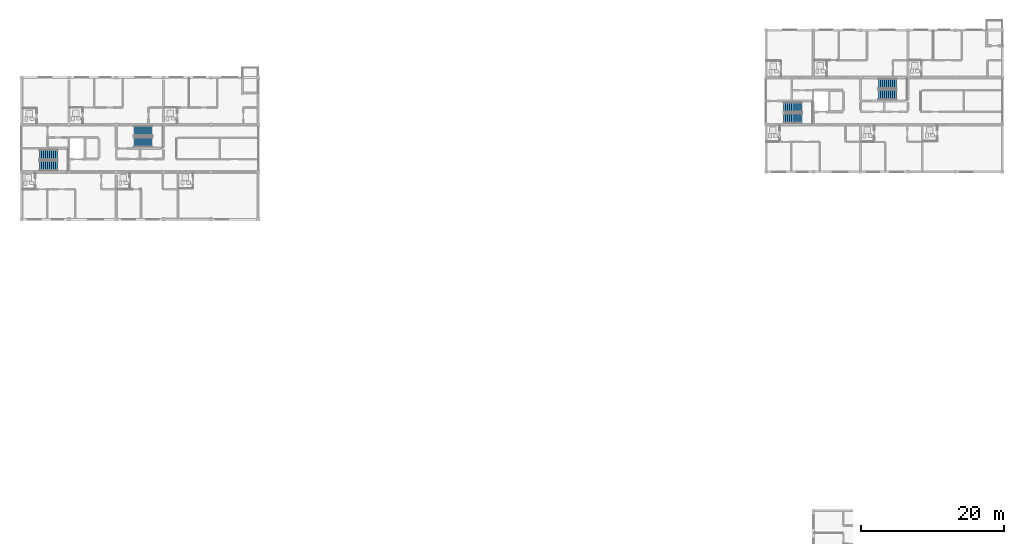
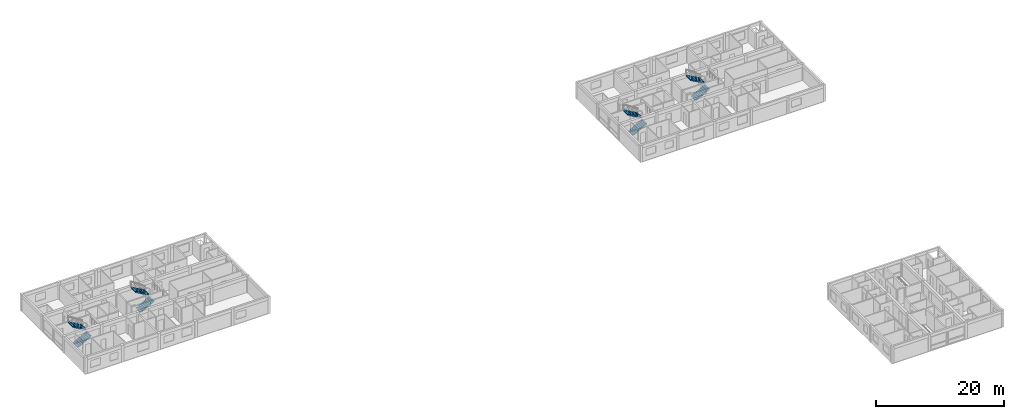
# One storey, part 29 of 34: 8 stair flights, 4 elements without a shape of their own.
"""IFC4 building model written with IfcOpenShell, lengths in metres."""

from ifc_helpers import new_model, si_unit, direction, frame, origin, place, context, subcontext, project, spatial, polyline, outline, extrude, material, type_object, element, aggregate, save


model = new_model("IFC4")

# Units and contexts
model_context = context("Model", 3, precision=1e-05, world=origin(), true_north=direction((0.0, 1.0)))
body_context = subcontext(model_context, "Body", "Model", "MODEL_VIEW")
ifc_project = project(units=[si_unit("LENGTHUNIT", "METRE"), si_unit("AREAUNIT", "SQUARE_METRE"), si_unit("VOLUMEUNIT", "CUBIC_METRE"), si_unit("PLANEANGLEUNIT", "RADIAN"), si_unit("MASSUNIT", "GRAM", prefix="KILO")], contexts=[model_context])

# Site, building, storey
site_placement = place(None, origin())
site = spatial("IfcSite", under=ifc_project, at=site_placement, CompositionType="ELEMENT")
building_placement = place(site_placement, origin())
building = spatial("IfcBuilding", under=site, at=building_placement, Name="Kernevlak Ridge Housing Community", CompositionType="ELEMENT")
storey_placement = place(building_placement, frame((0.0, 0.0, 40.39990234375)))
storey = spatial("IfcBuildingStorey", under=building, at=storey_placement, Name="L12", CompositionType="ELEMENT", Elevation=40.39990234375)

# Stair, stair flights
ifc_material = material(Name="Concrete C35/45", Category="concrete")
stair_type_1 = type_object("IfcStairType", Name="SR-01", PredefinedType="HALF_TURN_STAIR", material=ifc_material)
stair_1_placement = place(storey_placement, origin())
stair_1 = element("IfcStair", 1, at=stair_1_placement, inside=storey, type_object=stair_type_1, Name="Stair ST-B1 L12", PredefinedType="HALF_TURN_STAIR")
stair_flight_type_1 = type_object("IfcStairFlightType", Name="SF-01", PredefinedType="STRAIGHT", material=ifc_material)
stair_flight_1_placement = place(storey_placement, frame((121.8798828125, 90.06005859375, 0.0), z_axis=(0.0, 0.0, 1.0), x_axis=(1.0, 0.0, 0.0)))
stair_flight_1 = element("IfcStairFlight", 2, at=stair_flight_1_placement, type_object=stair_flight_type_1, Name="SR-01 flight 1", NumberOfRisers=10, NumberOfTreads=9, PredefinedType="STRAIGHT", RiserHeight=0.16, TreadLength=0.28, context=body_context, shape_type="SweptSolid", body=[
    extrude(outline(polyline([(0.0, 0.0), (0.0, 0.159912109375), (0.280029296875, 0.159912109375), (0.280029296875, 0.320068359375), (0.56005859375, 0.320068359375), (0.56005859375, 0.47998046875), (0.840087890625, 0.47998046875), (0.840087890625, 0.639892578125), (1.1201171875, 0.639892578125), (1.1201171875, 0.800048828125), (1.39990234375, 0.800048828125), (1.39990234375, 0.9599609375), (1.679931640625, 0.9599609375), (1.679931640625, 1.1201171875), (1.9599609375, 1.1201171875), (1.9599609375, 1.280029296875), (2.239990234375, 1.280029296875), (2.239990234375, 1.43994140625), (2.52001953125, 1.43994140625), (2.52001953125, 1.60009765625), (2.52001953125, 1.244384765625), (0.342529296875, 0.0), (0.0, 0.0)])), frame((0.0, 0.699951171875, 0.0), z_axis=(0.0, -1.0, 0.0), x_axis=(1.0, 0.0, 0.0)), (0.0, 0.0, 1.0), 1.39990234375),
])
stair_flight_2_placement = place(storey_placement, frame((124.39990234375, 91.639892578125, 1.60009765625), z_axis=(0.0, 0.0, 1.0), x_axis=(-1.0, 0.0, 0.0)))
stair_flight_2 = element("IfcStairFlight", 3, at=stair_flight_2_placement, type_object=stair_flight_type_1, Name="SR-01 flight 2", NumberOfRisers=10, NumberOfTreads=9, PredefinedType="STRAIGHT", RiserHeight=0.16, TreadLength=0.28, context=body_context, shape_type="SweptSolid", body=[
    extrude(outline(polyline([(0.0, 0.0), (0.0, 0.159912109375), (0.280029296875, 0.159912109375), (0.280029296875, 0.320068359375), (0.56005859375, 0.320068359375), (0.56005859375, 0.47998046875), (0.840087890625, 0.47998046875), (0.840087890625, 0.639892578125), (1.1201171875, 0.639892578125), (1.1201171875, 0.800048828125), (1.39990234375, 0.800048828125), (1.39990234375, 0.9599609375), (1.679931640625, 0.9599609375), (1.679931640625, 1.1201171875), (1.9599609375, 1.1201171875), (1.9599609375, 1.280029296875), (2.239990234375, 1.280029296875), (2.239990234375, 1.43994140625), (2.52001953125, 1.43994140625), (2.52001953125, 1.60009765625), (2.52001953125, 1.244384765625), (0.342529296875, 0.0), (0.0, 0.0)])), frame((0.0, 0.699951171875, 0.0), z_axis=(0.0, -1.0, 0.0), x_axis=(1.0, 0.0, 0.0)), (0.0, 0.0, 1.0), 1.39990234375),
])
aggregate(stair_1, [stair_flight_1, stair_flight_2])

stair_2_placement = place(storey_placement, origin())
stair_2 = element("IfcStair", 4, at=stair_2_placement, inside=storey, type_object=stair_type_1, Name="Stair ST-B2 L12", PredefinedType="HALF_TURN_STAIR")
stair_flight_3_placement = place(storey_placement, frame((135.080078125, 93.360107421875, 0.0), z_axis=(0.0, 0.0, 1.0), x_axis=(1.0, 0.0, 0.0)))
stair_flight_3 = element("IfcStairFlight", 5, at=stair_flight_3_placement, type_object=stair_flight_type_1, Name="SR-01 flight 1", NumberOfRisers=10, NumberOfTreads=9, PredefinedType="STRAIGHT", RiserHeight=0.16, TreadLength=0.28, context=body_context, shape_type="SweptSolid", body=[
    extrude(outline(polyline([(0.0, 0.0), (0.0, 0.159912109375), (0.280029296875, 0.159912109375), (0.280029296875, 0.320068359375), (0.56005859375, 0.320068359375), (0.56005859375, 0.47998046875), (0.840087890625, 0.47998046875), (0.840087890625, 0.639892578125), (1.1201171875, 0.639892578125), (1.1201171875, 0.800048828125), (1.39990234375, 0.800048828125), (1.39990234375, 0.9599609375), (1.679931640625, 0.9599609375), (1.679931640625, 1.1201171875), (1.9599609375, 1.1201171875), (1.9599609375, 1.280029296875), (2.239990234375, 1.280029296875), (2.239990234375, 1.43994140625), (2.52001953125, 1.43994140625), (2.52001953125, 1.60009765625), (2.52001953125, 1.244384765625), (0.342529296875, 0.0), (0.0, 0.0)])), frame((0.0, 0.699951171875, 0.0), z_axis=(0.0, -1.0, 0.0), x_axis=(1.0, 0.0, 0.0)), (0.0, 0.0, 1.0), 1.39990234375),
])
stair_flight_4_placement = place(storey_placement, frame((137.60009765625, 94.93994140625, 1.60009765625), z_axis=(0.0, 0.0, 1.0), x_axis=(-1.0, 0.0, 0.0)))
stair_flight_4 = element("IfcStairFlight", 6, at=stair_flight_4_placement, type_object=stair_flight_type_1, Name="SR-01 flight 2", NumberOfRisers=10, NumberOfTreads=9, PredefinedType="STRAIGHT", RiserHeight=0.16, TreadLength=0.28, context=body_context, shape_type="SweptSolid", body=[
    extrude(outline(polyline([(0.0, 0.0), (0.0, 0.159912109375), (0.280029296875, 0.159912109375), (0.280029296875, 0.320068359375), (0.56005859375, 0.320068359375), (0.56005859375, 0.47998046875), (0.840087890625, 0.47998046875), (0.840087890625, 0.639892578125), (1.1201171875, 0.639892578125), (1.1201171875, 0.800048828125), (1.39990234375, 0.800048828125), (1.39990234375, 0.9599609375), (1.679931640625, 0.9599609375), (1.679931640625, 1.1201171875), (1.9599609375, 1.1201171875), (1.9599609375, 1.280029296875), (2.239990234375, 1.280029296875), (2.239990234375, 1.43994140625), (2.52001953125, 1.43994140625), (2.52001953125, 1.60009765625), (2.52001953125, 1.244384765625), (0.342529296875, 0.0), (0.0, 0.0)])), frame((0.0, 0.699951171875, 0.0), z_axis=(0.0, -1.0, 0.0), x_axis=(1.0, 0.0, 0.0)), (0.0, 0.0, 1.0), 1.39990234375),
])
aggregate(stair_2, [stair_flight_3, stair_flight_4])

stair_type_2 = type_object("IfcStairType", Name="SR-06", PredefinedType="HALF_TURN_STAIR", material=ifc_material)
stair_3_placement = place(storey_placement, origin())
stair_3 = element("IfcStair", 7, at=stair_3_placement, inside=storey, type_object=stair_type_2, Name="Stair ST-A1 L12", PredefinedType="HALF_TURN_STAIR")
stair_flight_type_2 = type_object("IfcStairFlightType", Name="SF-06", PredefinedType="STRAIGHT", material=ifc_material)
stair_flight_5_placement = place(storey_placement, frame((18.080078125, 83.4599609375, 0.0), z_axis=(0.0, 0.0, 1.0), x_axis=(1.0, 0.0, 0.0)))
stair_flight_5 = element("IfcStairFlight", 8, at=stair_flight_5_placement, type_object=stair_flight_type_2, Name="SR-06 flight 1", NumberOfRisers=10, NumberOfTreads=9, PredefinedType="STRAIGHT", RiserHeight=0.16, TreadLength=0.28, context=body_context, shape_type="SweptSolid", body=[
    extrude(outline(polyline([(0.0, 0.0), (0.0, 0.159912109375), (0.280029296875, 0.159912109375), (0.280029296875, 0.320068359375), (0.56005859375, 0.320068359375), (0.56005859375, 0.47998046875), (0.840087890625, 0.47998046875), (0.840087890625, 0.639892578125), (1.1201171875, 0.639892578125), (1.1201171875, 0.800048828125), (1.39990234375, 0.800048828125), (1.39990234375, 0.9599609375), (1.679931640625, 0.9599609375), (1.679931640625, 1.1201171875), (1.9599609375, 1.1201171875), (1.9599609375, 1.280029296875), (2.239990234375, 1.280029296875), (2.239990234375, 1.43994140625), (2.52001953125, 1.43994140625), (2.52001953125, 1.60009765625), (2.52001953125, 1.244384765625), (0.342529296875, 0.0), (0.0, 0.0)])), frame((0.0, 0.719970703125, 0.0), z_axis=(0.0, -1.0, 0.0), x_axis=(1.0, 0.0, 0.0)), (0.0, 0.0, 1.0), 1.43994140625),
])
stair_flight_6_placement = place(storey_placement, frame((20.60009765625, 85.0400390625, 1.60009765625), z_axis=(0.0, 0.0, 1.0), x_axis=(-1.0, 0.0, 0.0)))
stair_flight_6 = element("IfcStairFlight", 9, at=stair_flight_6_placement, type_object=stair_flight_type_2, Name="SR-06 flight 2", NumberOfRisers=10, NumberOfTreads=9, PredefinedType="STRAIGHT", RiserHeight=0.16, TreadLength=0.28, context=body_context, shape_type="SweptSolid", body=[
    extrude(outline(polyline([(0.0, 0.0), (0.0, 0.159912109375), (0.280029296875, 0.159912109375), (0.280029296875, 0.320068359375), (0.56005859375, 0.320068359375), (0.56005859375, 0.47998046875), (0.840087890625, 0.47998046875), (0.840087890625, 0.639892578125), (1.1201171875, 0.639892578125), (1.1201171875, 0.800048828125), (1.39990234375, 0.800048828125), (1.39990234375, 0.9599609375), (1.679931640625, 0.9599609375), (1.679931640625, 1.1201171875), (1.9599609375, 1.1201171875), (1.9599609375, 1.280029296875), (2.239990234375, 1.280029296875), (2.239990234375, 1.43994140625), (2.52001953125, 1.43994140625), (2.52001953125, 1.60009765625), (2.52001953125, 1.244384765625), (0.342529296875, 0.0), (0.0, 0.0)])), frame((0.0, 0.719970703125, 0.0), z_axis=(0.0, -1.0, 0.0), x_axis=(1.0, 0.0, 0.0)), (0.0, 0.0, 1.0), 1.43994140625),
])
aggregate(stair_3, [stair_flight_5, stair_flight_6])

stair_4_placement = place(storey_placement, origin())
stair_4 = element("IfcStair", 10, at=stair_4_placement, inside=storey, type_object=stair_type_2, Name="Stair ST-A2 L12", PredefinedType="HALF_TURN_STAIR")
stair_flight_7_placement = place(storey_placement, frame((31.280029296875, 86.760009765625, 0.0), z_axis=(0.0, 0.0, 1.0), x_axis=(1.0, 0.0, 0.0)))
stair_flight_7 = element("IfcStairFlight", 11, at=stair_flight_7_placement, type_object=stair_flight_type_2, Name="SR-06 flight 1", NumberOfRisers=10, NumberOfTreads=9, PredefinedType="STRAIGHT", RiserHeight=0.16, TreadLength=0.28, context=body_context, shape_type="SweptSolid", body=[
    extrude(outline(polyline([(0.0, 0.0), (0.0, 0.159912109375), (0.280029296875, 0.159912109375), (0.280029296875, 0.320068359375), (0.56005859375, 0.320068359375), (0.56005859375, 0.47998046875), (0.840087890625, 0.47998046875), (0.840087890625, 0.639892578125), (1.1201171875, 0.639892578125), (1.1201171875, 0.800048828125), (1.39990234375, 0.800048828125), (1.39990234375, 0.9599609375), (1.679931640625, 0.9599609375), (1.679931640625, 1.1201171875), (1.9599609375, 1.1201171875), (1.9599609375, 1.280029296875), (2.239990234375, 1.280029296875), (2.239990234375, 1.43994140625), (2.52001953125, 1.43994140625), (2.52001953125, 1.60009765625), (2.52001953125, 1.244384765625), (0.342529296875, 0.0), (0.0, 0.0)])), frame((0.0, 0.719970703125, 0.0), z_axis=(0.0, -1.0, 0.0), x_axis=(1.0, 0.0, 0.0)), (0.0, 0.0, 1.0), 1.43994140625),
])
stair_flight_8_placement = place(storey_placement, frame((33.800048828125, 88.340087890625, 1.60009765625), z_axis=(0.0, 0.0, 1.0), x_axis=(-1.0, 0.0, 0.0)))
stair_flight_8 = element("IfcStairFlight", 12, at=stair_flight_8_placement, type_object=stair_flight_type_2, Name="SR-06 flight 2", NumberOfRisers=10, NumberOfTreads=9, PredefinedType="STRAIGHT", RiserHeight=0.16, TreadLength=0.28, context=body_context, shape_type="SweptSolid", body=[
    extrude(outline(polyline([(0.0, 0.0), (0.0, 0.159912109375), (0.280029296875, 0.159912109375), (0.280029296875, 0.320068359375), (0.56005859375, 0.320068359375), (0.56005859375, 0.47998046875), (0.840087890625, 0.47998046875), (0.840087890625, 0.639892578125), (1.1201171875, 0.639892578125), (1.1201171875, 0.800048828125), (1.39990234375, 0.800048828125), (1.39990234375, 0.9599609375), (1.679931640625, 0.9599609375), (1.679931640625, 1.1201171875), (1.9599609375, 1.1201171875), (1.9599609375, 1.280029296875), (2.239990234375, 1.280029296875), (2.239990234375, 1.43994140625), (2.52001953125, 1.43994140625), (2.52001953125, 1.60009765625), (2.52001953125, 1.244384765625), (0.342529296875, 0.0), (0.0, 0.0)])), frame((0.0, 0.719970703125, 0.0), z_axis=(0.0, -1.0, 0.0), x_axis=(1.0, 0.0, 0.0)), (0.0, 0.0, 1.0), 1.43994140625),
])
aggregate(stair_4, [stair_flight_7, stair_flight_8])

save(model, "model.ifc")
